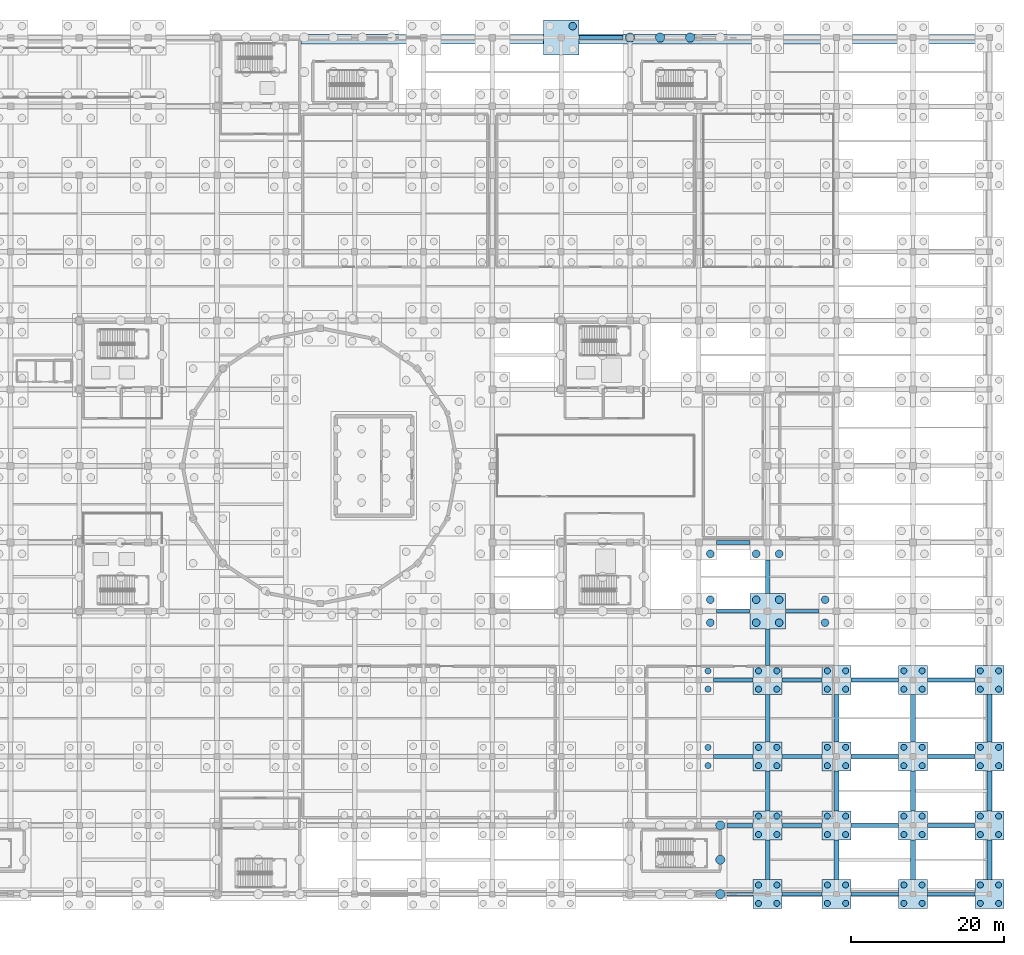
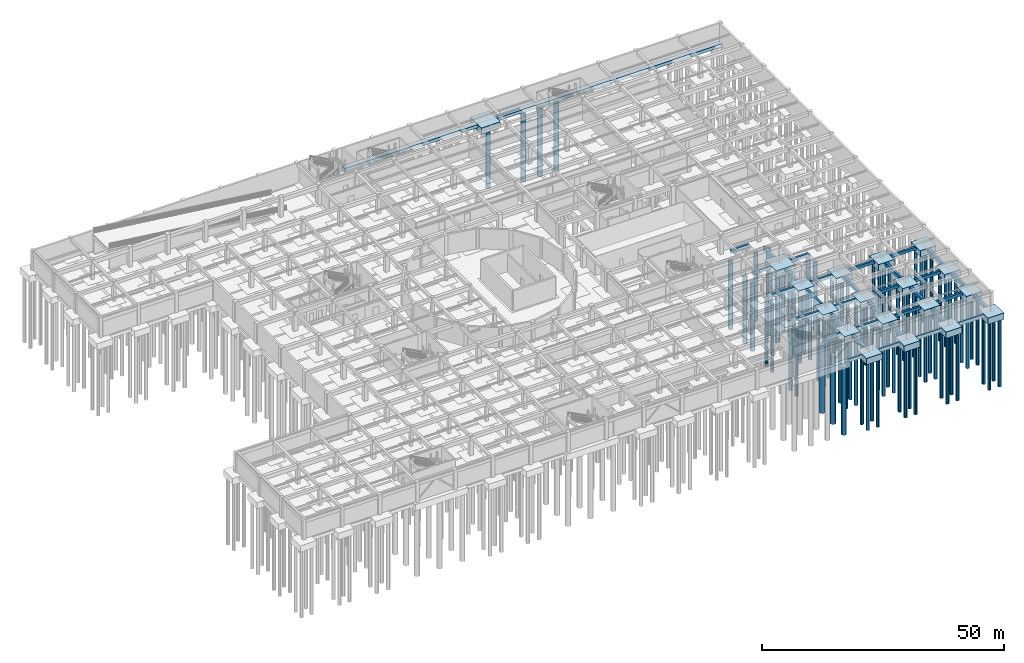
# One storey, part 9 of 62: 86 piles, 53 footings.
"""IFC4 building model written with IfcOpenShell, lengths in metres."""

from ifc_helpers import new_model, si_unit, direction, frame, origin, origin_2d, place, context, subcontext, project, spatial, polyline, rectangle, circle, outline, extrude, material, material_profile, profile_set, type_object, element, save


model = new_model("IFC4")

# Units and contexts
model_context = context("Model", 3, precision=1e-05, world=origin(), true_north=direction((0.0, 1.0)))
body_context = subcontext(model_context, "Body", "Model", "MODEL_VIEW")
ifc_project = project(units=[si_unit("LENGTHUNIT", "METRE"), si_unit("AREAUNIT", "SQUARE_METRE"), si_unit("VOLUMEUNIT", "CUBIC_METRE"), si_unit("PLANEANGLEUNIT", "RADIAN"), si_unit("MASSUNIT", "GRAM", prefix="KILO")], contexts=[model_context])

# Site, building, storey
site_placement = place(None, origin())
site = spatial("IfcSite", under=ifc_project, at=site_placement, CompositionType="ELEMENT")
building_placement = place(site_placement, origin())
building = spatial("IfcBuilding", under=site, at=building_placement, Name="Miravela Opera House", CompositionType="ELEMENT")
storey_placement = place(building_placement, frame((0.0, 0.0, -5.10009765625)))
storey = spatial("IfcBuildingStorey", under=building, at=storey_placement, Name="B01", CompositionType="ELEMENT", Elevation=-5.10009765625)

# Footings
ifc_material = material(Name="Concrete C35/45", Category="concrete")
footing_type_1 = type_object("IfcFootingType", Name="STR-GB-500X750", PredefinedType="FOOTING_BEAM", material=ifc_material)
footing_1_placement = place(storey_placement, frame((0.0, 0.0, -0.75)))
element("IfcFooting", 1, at=footing_1_placement, inside=storey, type_object=footing_type_1, Name="Seismic Grade Tie Beam GB-X-191", PredefinedType="FOOTING_BEAM", context=body_context, shape_type="SweptSolid", body=[
    extrude(outline(polyline([(129.699951171875, -0.25), (133.10009765625, -0.25), (133.10009765625, 0.25), (129.699951171875, 0.25), (129.699951171875, -0.25)])), origin(), (0.0, 0.0, 1.0), 0.75),
])
footing_2_placement = place(storey_placement, frame((0.0, 0.0, -0.75)))
element("IfcFooting", 2, at=footing_2_placement, inside=storey, type_object=footing_type_1, Name="Seismic Grade Tie Beam GB-X-192", PredefinedType="FOOTING_BEAM", context=body_context, shape_type="SweptSolid", body=[
    extrude(outline(polyline([(136.89990234375, -0.25), (142.10009765625, -0.25), (142.10009765625, 0.25), (136.89990234375, 0.25), (136.89990234375, -0.25)])), origin(), (0.0, 0.0, 1.0), 0.75),
])
footing_3_placement = place(storey_placement, frame((0.0, 0.0, -0.75)))
element("IfcFooting", 3, at=footing_3_placement, inside=storey, type_object=footing_type_1, Name="Seismic Grade Tie Beam GB-X-193", PredefinedType="FOOTING_BEAM", context=body_context, shape_type="SweptSolid", body=[
    extrude(outline(polyline([(145.89990234375, -0.25), (152.10009765625, -0.25), (152.10009765625, 0.25), (145.89990234375, 0.25), (145.89990234375, -0.25)])), origin(), (0.0, 0.0, 1.0), 0.75),
])
footing_4_placement = place(storey_placement, frame((0.0, 0.0, -0.75)))
element("IfcFooting", 4, at=footing_4_placement, inside=storey, type_object=footing_type_1, Name="Seismic Grade Tie Beam GB-X-194", PredefinedType="FOOTING_BEAM", context=body_context, shape_type="SweptSolid", body=[
    extrude(outline(polyline([(155.89990234375, -0.25), (162.10009765625, -0.25), (162.10009765625, 0.25), (155.89990234375, 0.25), (155.89990234375, -0.25)])), origin(), (0.0, 0.0, 1.0), 0.75),
])
footing_5_placement = place(storey_placement, frame((0.0, 0.0, -0.75)))
element("IfcFooting", 5, at=footing_5_placement, inside=storey, type_object=footing_type_1, Name="Seismic Grade Tie Beam GB-X-206", PredefinedType="FOOTING_BEAM", context=body_context, shape_type="SweptSolid", body=[
    extrude(outline(polyline([(129.699951171875, 8.75), (133.10009765625, 8.75), (133.10009765625, 9.25), (129.699951171875, 9.25), (129.699951171875, 8.75)])), origin(), (0.0, 0.0, 1.0), 0.75),
])
footing_6_placement = place(storey_placement, frame((0.0, 0.0, -0.75)))
element("IfcFooting", 6, at=footing_6_placement, inside=storey, type_object=footing_type_1, Name="Seismic Grade Tie Beam GB-X-207", PredefinedType="FOOTING_BEAM", context=body_context, shape_type="SweptSolid", body=[
    extrude(outline(polyline([(136.89990234375, 8.75), (142.10009765625, 8.75), (142.10009765625, 9.25), (136.89990234375, 9.25), (136.89990234375, 8.75)])), origin(), (0.0, 0.0, 1.0), 0.75),
])
footing_7_placement = place(storey_placement, frame((0.0, 0.0, -0.75)))
element("IfcFooting", 7, at=footing_7_placement, inside=storey, type_object=footing_type_1, Name="Seismic Grade Tie Beam GB-X-208", PredefinedType="FOOTING_BEAM", context=body_context, shape_type="SweptSolid", body=[
    extrude(outline(polyline([(145.89990234375, 8.75), (152.10009765625, 8.75), (152.10009765625, 9.25), (145.89990234375, 9.25), (145.89990234375, 8.75)])), origin(), (0.0, 0.0, 1.0), 0.75),
])
footing_8_placement = place(storey_placement, frame((0.0, 0.0, -0.75)))
element("IfcFooting", 8, at=footing_8_placement, inside=storey, type_object=footing_type_1, Name="Seismic Grade Tie Beam GB-X-209", PredefinedType="FOOTING_BEAM", context=body_context, shape_type="SweptSolid", body=[
    extrude(outline(polyline([(155.89990234375, 8.75), (162.10009765625, 8.75), (162.10009765625, 9.25), (155.89990234375, 9.25), (155.89990234375, 8.75)])), origin(), (0.0, 0.0, 1.0), 0.75),
])
footing_9_placement = place(storey_placement, frame((0.0, 0.0, -0.75)))
element("IfcFooting", 9, at=footing_9_placement, inside=storey, type_object=footing_type_1, Name="Seismic Grade Tie Beam GB-X-224", PredefinedType="FOOTING_BEAM", context=body_context, shape_type="SweptSolid", body=[
    extrude(outline(polyline([(127.89990234375, 17.75), (133.10009765625, 17.75), (133.10009765625, 18.25), (127.89990234375, 18.25), (127.89990234375, 17.75)])), origin(), (0.0, 0.0, 1.0), 0.75),
])
footing_10_placement = place(storey_placement, frame((0.0, 0.0, -0.75)))
element("IfcFooting", 10, at=footing_10_placement, inside=storey, type_object=footing_type_1, Name="Seismic Grade Tie Beam GB-X-225", PredefinedType="FOOTING_BEAM", context=body_context, shape_type="SweptSolid", body=[
    extrude(outline(polyline([(136.89990234375, 17.75), (142.10009765625, 17.75), (142.10009765625, 18.25), (136.89990234375, 18.25), (136.89990234375, 17.75)])), origin(), (0.0, 0.0, 1.0), 0.75),
])
footing_11_placement = place(storey_placement, frame((0.0, 0.0, -0.75)))
element("IfcFooting", 11, at=footing_11_placement, inside=storey, type_object=footing_type_1, Name="Seismic Grade Tie Beam GB-X-226", PredefinedType="FOOTING_BEAM", context=body_context, shape_type="SweptSolid", body=[
    extrude(outline(polyline([(145.89990234375, 17.75), (152.10009765625, 17.75), (152.10009765625, 18.25), (145.89990234375, 18.25), (145.89990234375, 17.75)])), origin(), (0.0, 0.0, 1.0), 0.75),
])
footing_12_placement = place(storey_placement, frame((0.0, 0.0, -0.75)))
element("IfcFooting", 12, at=footing_12_placement, inside=storey, type_object=footing_type_1, Name="Seismic Grade Tie Beam GB-X-227", PredefinedType="FOOTING_BEAM", context=body_context, shape_type="SweptSolid", body=[
    extrude(outline(polyline([(155.89990234375, 17.75), (162.10009765625, 17.75), (162.10009765625, 18.25), (155.89990234375, 18.25), (155.89990234375, 17.75)])), origin(), (0.0, 0.0, 1.0), 0.75),
])
footing_13_placement = place(storey_placement, frame((0.0, 0.0, -0.75)))
element("IfcFooting", 13, at=footing_13_placement, inside=storey, type_object=footing_type_1, Name="Seismic Grade Tie Beam GB-X-242", PredefinedType="FOOTING_BEAM", context=body_context, shape_type="SweptSolid", body=[
    extrude(outline(polyline([(127.89990234375, 27.75), (133.10009765625, 27.75), (133.10009765625, 28.25), (127.89990234375, 28.25), (127.89990234375, 27.75)])), origin(), (0.0, 0.0, 1.0), 0.75),
])
footing_14_placement = place(storey_placement, frame((0.0, 0.0, -0.75)))
element("IfcFooting", 14, at=footing_14_placement, inside=storey, type_object=footing_type_1, Name="Seismic Grade Tie Beam GB-X-243", PredefinedType="FOOTING_BEAM", context=body_context, shape_type="SweptSolid", body=[
    extrude(outline(polyline([(136.89990234375, 27.75), (142.10009765625, 27.75), (142.10009765625, 28.25), (136.89990234375, 28.25), (136.89990234375, 27.75)])), origin(), (0.0, 0.0, 1.0), 0.75),
])
footing_15_placement = place(storey_placement, frame((0.0, 0.0, -0.75)))
element("IfcFooting", 15, at=footing_15_placement, inside=storey, type_object=footing_type_1, Name="Seismic Grade Tie Beam GB-X-244", PredefinedType="FOOTING_BEAM", context=body_context, shape_type="SweptSolid", body=[
    extrude(outline(polyline([(145.89990234375, 27.75), (152.10009765625, 27.75), (152.10009765625, 28.25), (145.89990234375, 28.25), (145.89990234375, 27.75)])), origin(), (0.0, 0.0, 1.0), 0.75),
])
footing_16_placement = place(storey_placement, frame((0.0, 0.0, -0.75)))
element("IfcFooting", 16, at=footing_16_placement, inside=storey, type_object=footing_type_1, Name="Seismic Grade Tie Beam GB-X-245", PredefinedType="FOOTING_BEAM", context=body_context, shape_type="SweptSolid", body=[
    extrude(outline(polyline([(155.89990234375, 27.75), (162.10009765625, 27.75), (162.10009765625, 28.25), (155.89990234375, 28.25), (155.89990234375, 27.75)])), origin(), (0.0, 0.0, 1.0), 0.75),
])
footing_17_placement = place(storey_placement, frame((0.0, 0.0, -0.75)))
element("IfcFooting", 17, at=footing_17_placement, inside=storey, type_object=footing_type_1, Name="Seismic Grade Tie Beam GB-X-256", PredefinedType="FOOTING_BEAM", context=body_context, shape_type="SweptSolid", body=[
    extrude(outline(polyline([(128.300048828125, 36.75), (132.699951171875, 36.75), (132.699951171875, 37.25), (128.300048828125, 37.25), (128.300048828125, 36.75)])), origin(), (0.0, 0.0, 1.0), 0.75),
])
footing_18_placement = place(storey_placement, frame((0.0, 0.0, -0.75)))
element("IfcFooting", 18, at=footing_18_placement, inside=storey, type_object=footing_type_1, Name="Seismic Grade Tie Beam GB-X-257", PredefinedType="FOOTING_BEAM", context=body_context, shape_type="SweptSolid", body=[
    extrude(outline(polyline([(137.300048828125, 36.75), (141.699951171875, 36.75), (141.699951171875, 37.25), (137.300048828125, 37.25), (137.300048828125, 36.75)])), origin(), (0.0, 0.0, 1.0), 0.75),
])
footing_19_placement = place(storey_placement, frame((0.0, 0.0, -0.75)))
element("IfcFooting", 19, at=footing_19_placement, inside=storey, type_object=footing_type_1, Name="Seismic Grade Tie Beam GB-X-266", PredefinedType="FOOTING_BEAM", context=body_context, shape_type="SweptSolid", body=[
    extrude(outline(polyline([(128.300048828125, 45.75), (132.699951171875, 45.75), (132.699951171875, 46.25), (128.300048828125, 46.25), (128.300048828125, 45.75)])), origin(), (0.0, 0.0, 1.0), 0.75),
])
footing_20_placement = place(storey_placement, frame((0.0, 0.0, -0.75)))
element("IfcFooting", 20, at=footing_20_placement, inside=storey, type_object=footing_type_1, Name="Seismic Grade Tie Beam GB-X-362", PredefinedType="FOOTING_BEAM", context=body_context, shape_type="SweptSolid", body=[
    extrude(outline(polyline([(110.300048828125, 111.75), (116.10009765625, 111.75), (116.10009765625, 112.25), (110.300048828125, 112.25), (110.300048828125, 111.75)])), origin(), (0.0, 0.0, 1.0), 0.75),
])
footing_type_2 = type_object("IfcFootingType", Name="STR-GB-600X800", PredefinedType="FOOTING_BEAM", material=ifc_material)
footing_21_placement = place(storey_placement, frame((0.0, 0.0, -0.7998046875)))
element("IfcFooting", 21, at=footing_21_placement, inside=storey, type_object=footing_type_2, Name="Seismic Grade Tie Beam GB-Y-132", PredefinedType="FOOTING_BEAM", context=body_context, shape_type="SweptSolid", body=[
    extrude(outline(polyline([(134.699951171875, 1.89990234375), (135.300048828125, 1.89990234375), (135.300048828125, 7.10009765625), (134.699951171875, 7.10009765625), (134.699951171875, 1.89990234375)])), origin(), (0.0, 0.0, 1.0), 0.7998046875),
])
footing_22_placement = place(storey_placement, frame((0.0, 0.0, -0.7998046875)))
element("IfcFooting", 22, at=footing_22_placement, inside=storey, type_object=footing_type_2, Name="Seismic Grade Tie Beam GB-Y-133", PredefinedType="FOOTING_BEAM", context=body_context, shape_type="SweptSolid", body=[
    extrude(outline(polyline([(134.699951171875, 10.89990234375), (135.300048828125, 10.89990234375), (135.300048828125, 16.10009765625), (134.699951171875, 16.10009765625), (134.699951171875, 10.89990234375)])), origin(), (0.0, 0.0, 1.0), 0.7998046875),
])
footing_23_placement = place(storey_placement, frame((0.0, 0.0, -0.7998046875)))
element("IfcFooting", 23, at=footing_23_placement, inside=storey, type_object=footing_type_2, Name="Seismic Grade Tie Beam GB-Y-134", PredefinedType="FOOTING_BEAM", context=body_context, shape_type="SweptSolid", body=[
    extrude(outline(polyline([(134.699951171875, 19.89990234375), (135.300048828125, 19.89990234375), (135.300048828125, 26.10009765625), (134.699951171875, 26.10009765625), (134.699951171875, 19.89990234375)])), origin(), (0.0, 0.0, 1.0), 0.7998046875),
])
footing_24_placement = place(storey_placement, frame((0.0, 0.0, -0.7998046875)))
element("IfcFooting", 24, at=footing_24_placement, inside=storey, type_object=footing_type_2, Name="Seismic Grade Tie Beam GB-Y-135", PredefinedType="FOOTING_BEAM", context=body_context, shape_type="SweptSolid", body=[
    extrude(outline(polyline([(134.699951171875, 29.89990234375), (135.300048828125, 29.89990234375), (135.300048828125, 34.699951171875), (134.699951171875, 34.699951171875), (134.699951171875, 29.89990234375)])), origin(), (0.0, 0.0, 1.0), 0.7998046875),
])
footing_25_placement = place(storey_placement, frame((0.0, 0.0, -0.7998046875)))
element("IfcFooting", 25, at=footing_25_placement, inside=storey, type_object=footing_type_2, Name="Seismic Grade Tie Beam GB-Y-136", PredefinedType="FOOTING_BEAM", context=body_context, shape_type="SweptSolid", body=[
    extrude(outline(polyline([(134.699951171875, 39.300048828125), (135.300048828125, 39.300048828125), (135.300048828125, 43.699951171875), (134.699951171875, 43.699951171875), (134.699951171875, 39.300048828125)])), origin(), (0.0, 0.0, 1.0), 0.7998046875),
])
footing_26_placement = place(storey_placement, frame((0.0, 0.0, -0.7998046875)))
element("IfcFooting", 26, at=footing_26_placement, inside=storey, type_object=footing_type_2, Name="Seismic Grade Tie Beam GB-Y-144", PredefinedType="FOOTING_BEAM", context=body_context, shape_type="SweptSolid", body=[
    extrude(outline(polyline([(143.699951171875, 1.89990234375), (144.300048828125, 1.89990234375), (144.300048828125, 7.10009765625), (143.699951171875, 7.10009765625), (143.699951171875, 1.89990234375)])), origin(), (0.0, 0.0, 1.0), 0.7998046875),
])
footing_27_placement = place(storey_placement, frame((0.0, 0.0, -0.7998046875)))
element("IfcFooting", 27, at=footing_27_placement, inside=storey, type_object=footing_type_2, Name="Seismic Grade Tie Beam GB-Y-145", PredefinedType="FOOTING_BEAM", context=body_context, shape_type="SweptSolid", body=[
    extrude(outline(polyline([(143.699951171875, 10.89990234375), (144.300048828125, 10.89990234375), (144.300048828125, 16.10009765625), (143.699951171875, 16.10009765625), (143.699951171875, 10.89990234375)])), origin(), (0.0, 0.0, 1.0), 0.7998046875),
])
footing_28_placement = place(storey_placement, frame((0.0, 0.0, -0.7998046875)))
element("IfcFooting", 28, at=footing_28_placement, inside=storey, type_object=footing_type_2, Name="Seismic Grade Tie Beam GB-Y-146", PredefinedType="FOOTING_BEAM", context=body_context, shape_type="SweptSolid", body=[
    extrude(outline(polyline([(143.699951171875, 19.89990234375), (144.300048828125, 19.89990234375), (144.300048828125, 26.10009765625), (143.699951171875, 26.10009765625), (143.699951171875, 19.89990234375)])), origin(), (0.0, 0.0, 1.0), 0.7998046875),
])
footing_29_placement = place(storey_placement, frame((0.0, 0.0, -0.7998046875)))
element("IfcFooting", 29, at=footing_29_placement, inside=storey, type_object=footing_type_2, Name="Seismic Grade Tie Beam GB-Y-156", PredefinedType="FOOTING_BEAM", context=body_context, shape_type="SweptSolid", body=[
    extrude(outline(polyline([(153.699951171875, 1.89990234375), (154.300048828125, 1.89990234375), (154.300048828125, 7.10009765625), (153.699951171875, 7.10009765625), (153.699951171875, 1.89990234375)])), origin(), (0.0, 0.0, 1.0), 0.7998046875),
])
footing_30_placement = place(storey_placement, frame((0.0, 0.0, -0.7998046875)))
element("IfcFooting", 30, at=footing_30_placement, inside=storey, type_object=footing_type_2, Name="Seismic Grade Tie Beam GB-Y-157", PredefinedType="FOOTING_BEAM", context=body_context, shape_type="SweptSolid", body=[
    extrude(outline(polyline([(153.699951171875, 10.89990234375), (154.300048828125, 10.89990234375), (154.300048828125, 16.10009765625), (153.699951171875, 16.10009765625), (153.699951171875, 10.89990234375)])), origin(), (0.0, 0.0, 1.0), 0.7998046875),
])
footing_31_placement = place(storey_placement, frame((0.0, 0.0, -0.7998046875)))
element("IfcFooting", 31, at=footing_31_placement, inside=storey, type_object=footing_type_2, Name="Seismic Grade Tie Beam GB-Y-158", PredefinedType="FOOTING_BEAM", context=body_context, shape_type="SweptSolid", body=[
    extrude(outline(polyline([(153.699951171875, 19.89990234375), (154.300048828125, 19.89990234375), (154.300048828125, 26.10009765625), (153.699951171875, 26.10009765625), (153.699951171875, 19.89990234375)])), origin(), (0.0, 0.0, 1.0), 0.7998046875),
])
footing_32_placement = place(storey_placement, frame((0.0, 0.0, -0.7998046875)))
element("IfcFooting", 32, at=footing_32_placement, inside=storey, type_object=footing_type_2, Name="Seismic Grade Tie Beam GB-Y-168", PredefinedType="FOOTING_BEAM", context=body_context, shape_type="SweptSolid", body=[
    extrude(outline(polyline([(163.699951171875, 1.89990234375), (164.300048828125, 1.89990234375), (164.300048828125, 7.10009765625), (163.699951171875, 7.10009765625), (163.699951171875, 1.89990234375)])), origin(), (0.0, 0.0, 1.0), 0.7998046875),
])
footing_33_placement = place(storey_placement, frame((0.0, 0.0, -0.7998046875)))
element("IfcFooting", 33, at=footing_33_placement, inside=storey, type_object=footing_type_2, Name="Seismic Grade Tie Beam GB-Y-169", PredefinedType="FOOTING_BEAM", context=body_context, shape_type="SweptSolid", body=[
    extrude(outline(polyline([(163.699951171875, 10.89990234375), (164.300048828125, 10.89990234375), (164.300048828125, 16.10009765625), (163.699951171875, 16.10009765625), (163.699951171875, 10.89990234375)])), origin(), (0.0, 0.0, 1.0), 0.7998046875),
])
footing_34_placement = place(storey_placement, frame((0.0, 0.0, -0.7998046875)))
element("IfcFooting", 34, at=footing_34_placement, inside=storey, type_object=footing_type_2, Name="Seismic Grade Tie Beam GB-Y-170", PredefinedType="FOOTING_BEAM", context=body_context, shape_type="SweptSolid", body=[
    extrude(outline(polyline([(163.699951171875, 19.89990234375), (164.300048828125, 19.89990234375), (164.300048828125, 26.10009765625), (163.699951171875, 26.10009765625), (163.699951171875, 19.89990234375)])), origin(), (0.0, 0.0, 1.0), 0.7998046875),
])
footing_type_3 = type_object("IfcFootingType", Name="STR-PC-3800X3800X1600", PredefinedType="PILE_CAP", material=ifc_material)
for number, where, z_axis, x_axis, name in (
    (35, (135.0, 0.0, -1.599853515625), (0.0, 0.0, 1.0), (1.0, 0.0, 0.0), "Pile Cap PC-B01-148 (PC-01)"),
    (36, (135.0, 9.0, -1.599853515625), (0.0, 0.0, 1.0), (1.0, 0.0, 0.0), "Pile Cap PC-B01-149 (PC-01)"),
    (37, (135.0, 18.0, -1.599853515625), (0.0, 0.0, 1.0), (1.0, 0.0, 0.0), "Pile Cap PC-B01-150 (PC-01)"),
    (38, (135.0, 28.0, -1.599853515625), (0.0, 0.0, 1.0), (1.0, 0.0, 0.0), "Pile Cap PC-B01-151 (PC-01)"),
    (39, (144.0, 0.0, -1.599853515625), (0.0, 0.0, 1.0), (1.0, 0.0, 0.0), "Pile Cap PC-B01-161 (PC-01)"),
    (40, (144.0, 9.0, -1.599853515625), (0.0, 0.0, 1.0), (1.0, 0.0, 0.0), "Pile Cap PC-B01-162 (PC-01)"),
    (41, (144.0, 18.0, -1.599853515625), (0.0, 0.0, 1.0), (1.0, 0.0, 0.0), "Pile Cap PC-B01-163 (PC-01)"),
    (42, (144.0, 28.0, -1.599853515625), (0.0, 0.0, 1.0), (1.0, 0.0, 0.0), "Pile Cap PC-B01-164 (PC-01)"),
    (43, (154.0, 0.0, -1.599853515625), (0.0, 0.0, 1.0), (1.0, 0.0, 0.0), "Pile Cap PC-B01-174 (PC-01)"),
    (44, (154.0, 9.0, -1.599853515625), (0.0, 0.0, 1.0), (1.0, 0.0, 0.0), "Pile Cap PC-B01-175 (PC-01)"),
    (45, (154.0, 18.0, -1.599853515625), (0.0, 0.0, 1.0), (1.0, 0.0, 0.0), "Pile Cap PC-B01-176 (PC-01)"),
    (46, (154.0, 28.0, -1.599853515625), (0.0, 0.0, 1.0), (1.0, 0.0, 0.0), "Pile Cap PC-B01-177 (PC-01)"),
    (47, (164.0, 0.0, -1.599853515625), (0.0, 0.0, 1.0), (1.0, 0.0, 0.0), "Pile Cap PC-B01-187 (PC-01)"),
    (48, (164.0, 9.0, -1.599853515625), (0.0, 0.0, 1.0), (1.0, 0.0, 0.0), "Pile Cap PC-B01-188 (PC-01)"),
    (49, (164.0, 18.0, -1.599853515625), (0.0, 0.0, 1.0), (1.0, 0.0, 0.0), "Pile Cap PC-B01-189 (PC-01)"),
    (50, (164.0, 28.0, -1.599853515625), (0.0, 0.0, 1.0), (1.0, 0.0, 0.0), "Pile Cap PC-B01-190 (PC-01)"),
):
    element("IfcFooting", number, at=place(storey_placement, frame(where, z_axis=z_axis, x_axis=x_axis)), inside=storey, type_object=footing_type_3, Name=name, PredefinedType="PILE_CAP", context=body_context, shape_type="SweptSolid", body=[
        extrude(rectangle(XDim=3.800048828125, YDim=3.800048828125, at=origin_2d()), origin(), (0.0, 0.0, 1.0), 1.60009765625),
    ])
footing_type_4 = type_object("IfcFootingType", Name="STR-PC-4600X4600X1600", PredefinedType="PILE_CAP", material=ifc_material)
for number, where, z_axis, x_axis, name in (
    (51, (108.0, 112.0, -1.599853515625), (0.0, 0.0, 1.0), (1.0, 0.0, 0.0), "Pile Cap PC-B01-133 (PC-04)"),
    (52, (135.0, 37.0, -1.599853515625), (0.0, 0.0, 1.0), (1.0, 0.0, 0.0), "Pile Cap PC-B01-152 (PC-04)"),
):
    element("IfcFooting", number, at=place(storey_placement, frame(where, z_axis=z_axis, x_axis=x_axis)), inside=storey, type_object=footing_type_4, Name=name, PredefinedType="PILE_CAP", context=body_context, shape_type="SweptSolid", body=[
        extrude(rectangle(XDim=4.60009765625, YDim=4.60009765625, at=origin_2d()), origin(), (0.0, 0.0, 1.0), 1.60009765625),
    ])

# Piles
ifc_material_profile_1 = material_profile(ifc_material, circle(Radius=0.5, at=origin_2d()), Name="PILE-D1000")
ifc_profile_set_1 = profile_set([ifc_material_profile_1])
pile_type_1 = type_object("IfcPileType", Name="STR-PILE-D1000", PredefinedType="BORED", material=ifc_profile_set_1)
for number, where, z_axis, x_axis, name in (
    (53, (109.5, 113.5, -1.449951171875), (0.0, 0.0, -1.0), (1.0, 0.0, 0.0), "Bored Pile P-583"),
    (54, (127.5, 35.5, -1.449951171875), (0.0, 0.0, -1.0), (1.0, 0.0, 0.0), "Bored Pile P-634"),
    (55, (127.5, 38.5, -1.449951171875), (0.0, 0.0, -1.0), (1.0, 0.0, 0.0), "Bored Pile P-635"),
    (56, (127.5, 44.5, -1.449951171875), (0.0, 0.0, -1.0), (1.0, 0.0, 0.0), "Bored Pile P-638"),
    (57, (133.5, 35.5, -1.449951171875), (0.0, 0.0, -1.0), (1.0, 0.0, 0.0), "Bored Pile P-672"),
    (58, (133.5, 38.5, -1.449951171875), (0.0, 0.0, -1.0), (1.0, 0.0, 0.0), "Bored Pile P-673"),
    (59, (136.5, 35.5, -1.449951171875), (0.0, 0.0, -1.0), (1.0, 0.0, 0.0), "Bored Pile P-674"),
    (60, (136.5, 38.5, -1.449951171875), (0.0, 0.0, -1.0), (1.0, 0.0, 0.0), "Bored Pile P-675"),
    (61, (133.5, 44.5, -1.449951171875), (0.0, 0.0, -1.0), (1.0, 0.0, 0.0), "Bored Pile P-676"),
    (62, (136.5, 44.5, -1.449951171875), (0.0, 0.0, -1.0), (1.0, 0.0, 0.0), "Bored Pile P-678"),
    (63, (142.5, 35.5, -1.449951171875), (0.0, 0.0, -1.0), (1.0, 0.0, 0.0), "Bored Pile P-724"),
    (64, (142.5, 38.5, -1.449951171875), (0.0, 0.0, -1.0), (1.0, 0.0, 0.0), "Bored Pile P-725"),
):
    element("IfcPile", number, at=place(storey_placement, frame(where, z_axis=z_axis, x_axis=x_axis)), inside=storey, type_object=pile_type_1, Name=name, PredefinedType="BORED", context=body_context, shape_type="SweptSolid", body=[
        extrude(circle(Radius=0.5, at=origin_2d()), origin(), (0.0, 0.0, 1.0), 17.14990234375),
    ])
ifc_material_profile_2 = material_profile(ifc_material, circle(Radius=0.60009765625, at=origin_2d()), Name="PILE-D1200")
ifc_profile_set_2 = profile_set([ifc_material_profile_2])
pile_type_2 = type_object("IfcPileType", Name="STR-PILE-D1200", PredefinedType="BORED", material=ifc_profile_set_2)
for number, where, z_axis, x_axis, name in (
    (65, (128.800048828125, 0.0, -1.449951171875), (0.0, 0.0, -1.0), (1.0, 0.0, 0.0), "Bored Pile P-593"),
    (66, (128.800048828125, 4.5, -1.449951171875), (0.0, 0.0, -1.0), (1.0, 0.0, 0.0), "Bored Pile P-594"),
    (67, (128.800048828125, 9.0, -1.449951171875), (0.0, 0.0, -1.0), (1.0, 0.0, 0.0), "Bored Pile P-595"),
    (68, (117.0, 112.0, -1.449951171875), (0.0, 0.0, -1.0), (1.0, 0.0, 0.0), "Bored Pile P-614"),
    (69, (120.933349609375, 112.0, -1.449951171875), (0.0, 0.0, -1.0), (1.0, 0.0, 0.0), "Bored Pile P-617"),
    (70, (124.86669921875, 112.0, -1.449951171875), (0.0, 0.0, -1.0), (1.0, 0.0, 0.0), "Bored Pile P-620"),
):
    element("IfcPile", number, at=place(storey_placement, frame(where, z_axis=z_axis, x_axis=x_axis)), inside=storey, type_object=pile_type_2, Name=name, PredefinedType="BORED", context=body_context, shape_type="SweptSolid", body=[
        extrude(circle(Radius=0.60009765625, at=origin_2d()), origin(), (0.0, 0.0, 1.0), 17.14990234375),
    ])
ifc_material_profile_3 = material_profile(ifc_material, circle(Radius=0.39990234375, at=origin_2d()), Name="PILE-D800")
ifc_profile_set_3 = profile_set([ifc_material_profile_3])
pile_type_3 = type_object("IfcPileType", Name="STR-PILE-D800", PredefinedType="BORED", material=ifc_profile_set_3)
for number, where, z_axis, x_axis, name in (
    (71, (127.199951171875, 16.800048828125, -1.449951171875), (0.0, 0.0, -1.0), (1.0, 0.0, 0.0), "Bored Pile P-626"),
    (72, (127.199951171875, 19.199951171875, -1.449951171875), (0.0, 0.0, -1.0), (1.0, 0.0, 0.0), "Bored Pile P-627"),
    (73, (127.199951171875, 26.800048828125, -1.449951171875), (0.0, 0.0, -1.0), (1.0, 0.0, 0.0), "Bored Pile P-630"),
    (74, (127.199951171875, 29.199951171875, -1.449951171875), (0.0, 0.0, -1.0), (1.0, 0.0, 0.0), "Bored Pile P-631"),
    (75, (133.800048828125, -1.199951171875, -1.449951171875), (0.0, 0.0, -1.0), (1.0, 0.0, 0.0), "Bored Pile P-656"),
    (76, (133.800048828125, 1.199951171875, -1.449951171875), (0.0, 0.0, -1.0), (1.0, 0.0, 0.0), "Bored Pile P-657"),
    (77, (136.199951171875, -1.199951171875, -1.449951171875), (0.0, 0.0, -1.0), (1.0, 0.0, 0.0), "Bored Pile P-658"),
    (78, (136.199951171875, 1.199951171875, -1.449951171875), (0.0, 0.0, -1.0), (1.0, 0.0, 0.0), "Bored Pile P-659"),
    (79, (133.800048828125, 7.800048828125, -1.449951171875), (0.0, 0.0, -1.0), (1.0, 0.0, 0.0), "Bored Pile P-660"),
    (80, (133.800048828125, 10.199951171875, -1.449951171875), (0.0, 0.0, -1.0), (1.0, 0.0, 0.0), "Bored Pile P-661"),
    (81, (136.199951171875, 7.800048828125, -1.449951171875), (0.0, 0.0, -1.0), (1.0, 0.0, 0.0), "Bored Pile P-662"),
    (82, (136.199951171875, 10.199951171875, -1.449951171875), (0.0, 0.0, -1.0), (1.0, 0.0, 0.0), "Bored Pile P-663"),
    (83, (133.800048828125, 16.800048828125, -1.449951171875), (0.0, 0.0, -1.0), (1.0, 0.0, 0.0), "Bored Pile P-664"),
    (84, (133.800048828125, 19.199951171875, -1.449951171875), (0.0, 0.0, -1.0), (1.0, 0.0, 0.0), "Bored Pile P-665"),
    (85, (136.199951171875, 16.800048828125, -1.449951171875), (0.0, 0.0, -1.0), (1.0, 0.0, 0.0), "Bored Pile P-666"),
    (86, (136.199951171875, 19.199951171875, -1.449951171875), (0.0, 0.0, -1.0), (1.0, 0.0, 0.0), "Bored Pile P-667"),
    (87, (133.800048828125, 26.800048828125, -1.449951171875), (0.0, 0.0, -1.0), (1.0, 0.0, 0.0), "Bored Pile P-668"),
    (88, (133.800048828125, 29.199951171875, -1.449951171875), (0.0, 0.0, -1.0), (1.0, 0.0, 0.0), "Bored Pile P-669"),
    (89, (136.199951171875, 26.800048828125, -1.449951171875), (0.0, 0.0, -1.0), (1.0, 0.0, 0.0), "Bored Pile P-670"),
    (90, (136.199951171875, 29.199951171875, -1.449951171875), (0.0, 0.0, -1.0), (1.0, 0.0, 0.0), "Bored Pile P-671"),
    (91, (142.800048828125, -1.199951171875, -1.449951171875), (0.0, 0.0, -1.0), (1.0, 0.0, 0.0), "Bored Pile P-708"),
    (92, (142.800048828125, 1.199951171875, -1.449951171875), (0.0, 0.0, -1.0), (1.0, 0.0, 0.0), "Bored Pile P-709"),
    (93, (145.199951171875, -1.199951171875, -1.449951171875), (0.0, 0.0, -1.0), (1.0, 0.0, 0.0), "Bored Pile P-710"),
    (94, (145.199951171875, 1.199951171875, -1.449951171875), (0.0, 0.0, -1.0), (1.0, 0.0, 0.0), "Bored Pile P-711"),
    (95, (142.800048828125, 7.800048828125, -1.449951171875), (0.0, 0.0, -1.0), (1.0, 0.0, 0.0), "Bored Pile P-712"),
    (96, (142.800048828125, 10.199951171875, -1.449951171875), (0.0, 0.0, -1.0), (1.0, 0.0, 0.0), "Bored Pile P-713"),
    (97, (145.199951171875, 7.800048828125, -1.449951171875), (0.0, 0.0, -1.0), (1.0, 0.0, 0.0), "Bored Pile P-714"),
    (98, (145.199951171875, 10.199951171875, -1.449951171875), (0.0, 0.0, -1.0), (1.0, 0.0, 0.0), "Bored Pile P-715"),
    (99, (142.800048828125, 16.800048828125, -1.449951171875), (0.0, 0.0, -1.0), (1.0, 0.0, 0.0), "Bored Pile P-716"),
    (100, (142.800048828125, 19.199951171875, -1.449951171875), (0.0, 0.0, -1.0), (1.0, 0.0, 0.0), "Bored Pile P-717"),
    (101, (145.199951171875, 16.800048828125, -1.449951171875), (0.0, 0.0, -1.0), (1.0, 0.0, 0.0), "Bored Pile P-718"),
    (102, (145.199951171875, 19.199951171875, -1.449951171875), (0.0, 0.0, -1.0), (1.0, 0.0, 0.0), "Bored Pile P-719"),
    (103, (142.800048828125, 26.800048828125, -1.449951171875), (0.0, 0.0, -1.0), (1.0, 0.0, 0.0), "Bored Pile P-720"),
    (104, (142.800048828125, 29.199951171875, -1.449951171875), (0.0, 0.0, -1.0), (1.0, 0.0, 0.0), "Bored Pile P-721"),
    (105, (145.199951171875, 26.800048828125, -1.449951171875), (0.0, 0.0, -1.0), (1.0, 0.0, 0.0), "Bored Pile P-722"),
    (106, (145.199951171875, 29.199951171875, -1.449951171875), (0.0, 0.0, -1.0), (1.0, 0.0, 0.0), "Bored Pile P-723"),
    (107, (152.800048828125, -1.199951171875, -1.449951171875), (0.0, 0.0, -1.0), (1.0, 0.0, 0.0), "Bored Pile P-760"),
    (108, (152.800048828125, 1.199951171875, -1.449951171875), (0.0, 0.0, -1.0), (1.0, 0.0, 0.0), "Bored Pile P-761"),
    (109, (155.199951171875, -1.199951171875, -1.449951171875), (0.0, 0.0, -1.0), (1.0, 0.0, 0.0), "Bored Pile P-762"),
    (110, (155.199951171875, 1.199951171875, -1.449951171875), (0.0, 0.0, -1.0), (1.0, 0.0, 0.0), "Bored Pile P-763"),
    (111, (152.800048828125, 7.800048828125, -1.449951171875), (0.0, 0.0, -1.0), (1.0, 0.0, 0.0), "Bored Pile P-764"),
    (112, (152.800048828125, 10.199951171875, -1.449951171875), (0.0, 0.0, -1.0), (1.0, 0.0, 0.0), "Bored Pile P-765"),
    (113, (155.199951171875, 7.800048828125, -1.449951171875), (0.0, 0.0, -1.0), (1.0, 0.0, 0.0), "Bored Pile P-766"),
    (114, (155.199951171875, 10.199951171875, -1.449951171875), (0.0, 0.0, -1.0), (1.0, 0.0, 0.0), "Bored Pile P-767"),
    (115, (152.800048828125, 16.800048828125, -1.449951171875), (0.0, 0.0, -1.0), (1.0, 0.0, 0.0), "Bored Pile P-768"),
    (116, (152.800048828125, 19.199951171875, -1.449951171875), (0.0, 0.0, -1.0), (1.0, 0.0, 0.0), "Bored Pile P-769"),
    (117, (155.199951171875, 16.800048828125, -1.449951171875), (0.0, 0.0, -1.0), (1.0, 0.0, 0.0), "Bored Pile P-770"),
    (118, (155.199951171875, 19.199951171875, -1.449951171875), (0.0, 0.0, -1.0), (1.0, 0.0, 0.0), "Bored Pile P-771"),
    (119, (152.800048828125, 26.800048828125, -1.449951171875), (0.0, 0.0, -1.0), (1.0, 0.0, 0.0), "Bored Pile P-772"),
    (120, (152.800048828125, 29.199951171875, -1.449951171875), (0.0, 0.0, -1.0), (1.0, 0.0, 0.0), "Bored Pile P-773"),
    (121, (155.199951171875, 26.800048828125, -1.449951171875), (0.0, 0.0, -1.0), (1.0, 0.0, 0.0), "Bored Pile P-774"),
    (122, (155.199951171875, 29.199951171875, -1.449951171875), (0.0, 0.0, -1.0), (1.0, 0.0, 0.0), "Bored Pile P-775"),
    (123, (162.800048828125, -1.199951171875, -1.449951171875), (0.0, 0.0, -1.0), (1.0, 0.0, 0.0), "Bored Pile P-812"),
    (124, (162.800048828125, 1.199951171875, -1.449951171875), (0.0, 0.0, -1.0), (1.0, 0.0, 0.0), "Bored Pile P-813"),
    (125, (165.199951171875, -1.199951171875, -1.449951171875), (0.0, 0.0, -1.0), (1.0, 0.0, 0.0), "Bored Pile P-814"),
    (126, (165.199951171875, 1.199951171875, -1.449951171875), (0.0, 0.0, -1.0), (1.0, 0.0, 0.0), "Bored Pile P-815"),
    (127, (162.800048828125, 7.800048828125, -1.449951171875), (0.0, 0.0, -1.0), (1.0, 0.0, 0.0), "Bored Pile P-816"),
    (128, (162.800048828125, 10.199951171875, -1.449951171875), (0.0, 0.0, -1.0), (1.0, 0.0, 0.0), "Bored Pile P-817"),
    (129, (165.199951171875, 7.800048828125, -1.449951171875), (0.0, 0.0, -1.0), (1.0, 0.0, 0.0), "Bored Pile P-818"),
    (130, (165.199951171875, 10.199951171875, -1.449951171875), (0.0, 0.0, -1.0), (1.0, 0.0, 0.0), "Bored Pile P-819"),
    (131, (162.800048828125, 16.800048828125, -1.449951171875), (0.0, 0.0, -1.0), (1.0, 0.0, 0.0), "Bored Pile P-820"),
    (132, (162.800048828125, 19.199951171875, -1.449951171875), (0.0, 0.0, -1.0), (1.0, 0.0, 0.0), "Bored Pile P-821"),
    (133, (165.199951171875, 16.800048828125, -1.449951171875), (0.0, 0.0, -1.0), (1.0, 0.0, 0.0), "Bored Pile P-822"),
    (134, (165.199951171875, 19.199951171875, -1.449951171875), (0.0, 0.0, -1.0), (1.0, 0.0, 0.0), "Bored Pile P-823"),
    (135, (162.800048828125, 26.800048828125, -1.449951171875), (0.0, 0.0, -1.0), (1.0, 0.0, 0.0), "Bored Pile P-824"),
    (136, (162.800048828125, 29.199951171875, -1.449951171875), (0.0, 0.0, -1.0), (1.0, 0.0, 0.0), "Bored Pile P-825"),
    (137, (165.199951171875, 26.800048828125, -1.449951171875), (0.0, 0.0, -1.0), (1.0, 0.0, 0.0), "Bored Pile P-826"),
    (138, (165.199951171875, 29.199951171875, -1.449951171875), (0.0, 0.0, -1.0), (1.0, 0.0, 0.0), "Bored Pile P-827"),
):
    element("IfcPile", number, at=place(storey_placement, frame(where, z_axis=z_axis, x_axis=x_axis)), inside=storey, type_object=pile_type_3, Name=name, PredefinedType="BORED", context=body_context, shape_type="SweptSolid", body=[
        extrude(circle(Radius=0.39990234375, at=origin_2d()), origin(), (0.0, 0.0, 1.0), 17.14990234375),
    ])

# Footing
footing_type_5 = type_object("IfcFootingType", Name="STR-SF-1200X800", PredefinedType="STRIP_FOOTING", material=ifc_material)
footing_35_placement = place(storey_placement, frame((0.0, 0.0, -0.7998046875)))
element("IfcFooting", 139, at=footing_35_placement, inside=storey, type_object=footing_type_5, Name="Retaining Wall Strip Footing B01-RET-N1E", PredefinedType="STRIP_FOOTING", context=body_context, shape_type="SweptSolid", body=[
    extrude(outline(polyline([(74.0, 111.175048828125), (164.0, 111.175048828125), (164.0, 112.375), (74.0, 112.375), (74.0, 111.175048828125)])), origin(), (0.0, 0.0, 1.0), 0.7998046875),
])

save(model, "model.ifc")
